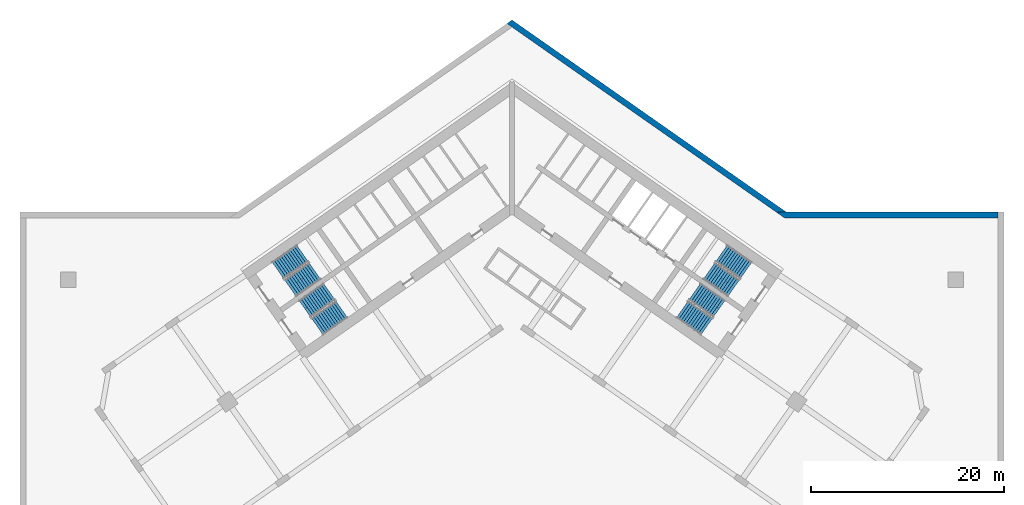
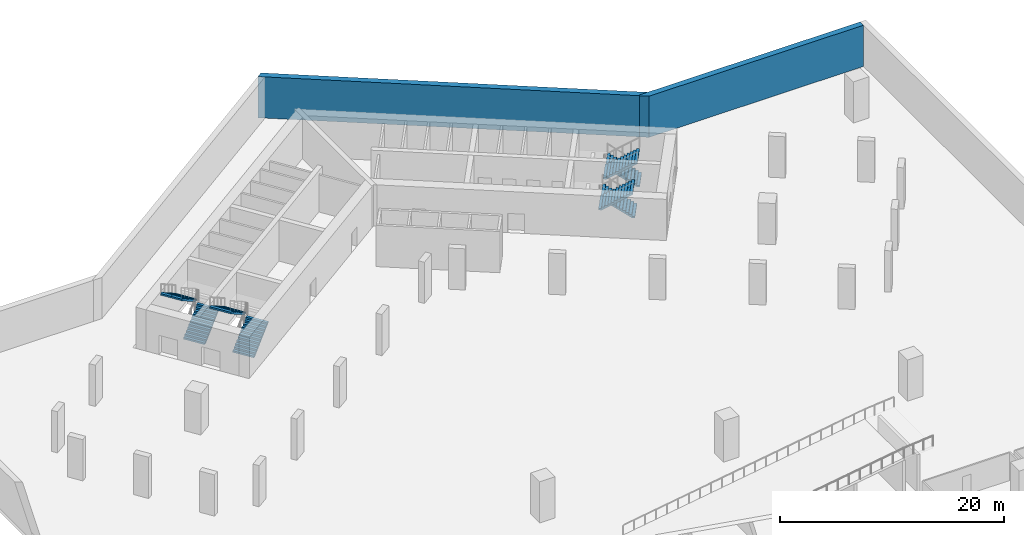
# One storey, part 8 of 11: 8 stair flights, 2 walls, 4 elements without a shape of their own.
"""IFC4 building model written with IfcOpenShell, lengths in metres."""

from ifc_helpers import new_model, si_unit, direction, frame, origin, place, context, subcontext, project, spatial, polyline, outline, extrude, material, layer, layer_set, type_object, element, aggregate, save


model = new_model("IFC4")

# Units and contexts
model_context = context("Model", 3, precision=1e-05, world=origin(), true_north=direction((0.0, 1.0)))
body_context = subcontext(model_context, "Body", "Model", "MODEL_VIEW")
ifc_project = project(units=[si_unit("LENGTHUNIT", "METRE"), si_unit("AREAUNIT", "SQUARE_METRE"), si_unit("VOLUMEUNIT", "CUBIC_METRE"), si_unit("PLANEANGLEUNIT", "RADIAN"), si_unit("MASSUNIT", "GRAM", prefix="KILO")], contexts=[model_context])

# Site, building, storey
site_placement = place(None, origin())
site = spatial("IfcSite", under=ifc_project, at=site_placement, CompositionType="ELEMENT")
building_placement = place(site_placement, origin())
building = spatial("IfcBuilding", under=site, at=building_placement, Name="Tel Ilan Convention Tower", CompositionType="ELEMENT")
storey_placement = place(building_placement, frame((0.0, 0.0, -4.5)))
storey = spatial("IfcBuildingStorey", under=building, at=storey_placement, Name="B1", CompositionType="ELEMENT", Elevation=-4.5)

# Walls
ifc_material_1 = material(Name="Concrete C40/50", Category="concrete")
ifc_layer = layer(ifc_material_1, 0.60009765625)
ifc_layer_set = layer_set([ifc_layer], Name="Basement Retaining Wall 600 mm C40/50")
wall_type = type_object("IfcWallType", Name="Basement Retaining Wall 600 mm C40/50", PredefinedType="SOLIDWALL", material=ifc_layer_set)
wall_1_placement = place(storey_placement, frame((51.0, -1.300048828125, 0.0), z_axis=(0.0, 0.0, 1.0), x_axis=(-1.0, 0.0, 0.0)))
element("IfcWall", 1, at=wall_1_placement, inside=storey, type_object=wall_type, Name="B1 retaining wall 3", PredefinedType="SOLIDWALL", context=body_context, shape_type="SweptSolid", body=[
    extrude(outline(polyline([(22.737548828125, 0.300048828125), (23.448486328125, -0.19775390625), (23.448486328125, -0.300048828125), (22.54833984375, -0.300048828125), (0.60009765625, -0.300048828125), (0.60009765625, 0.300048828125), (22.737548828125, 0.300048828125)])), origin(), (0.0, 0.0, 1.0), 4.5),
])
wall_2_placement = place(storey_placement, frame((28.279541015625, -1.24560546875, 0.0), z_axis=(0.0, 0.0, 1.0), x_axis=(-0.819154640404, 0.573572728697, 0.0)))
element("IfcWall", 2, at=wall_2_placement, inside=storey, type_object=wall_type, Name="B1 retaining wall 4", PredefinedType="SOLIDWALL", context=body_context, shape_type="SweptSolid", body=[
    extrude(outline(polyline([(5.786865234375, -0.300048828125), (0.0, -0.2998046875), (0.737060546875, 0.21630859375), (0.678466796875, 0.300048828125), (-0.189208984375, 0.300048828125), (34.951171875, 0.300048828125), (34.73291015625, -0.300048828125), (5.786865234375, -0.300048828125)])), origin(), (0.0, 0.0, 1.0), 4.5),
])

# Stair, stair flights
ifc_material_2 = material(Name="Concrete C40/50", Category="concrete")
stair_type = type_object("IfcStairType", Name="Pressurised Exit Stair 24 risers 188 mm", PredefinedType="HALF_TURN_STAIR", material=ifc_material_2)
stair_1_placement = place(storey_placement, origin())
stair_1 = element("IfcStair", 3, at=stair_1_placement, inside=storey, type_object=stair_type, Name="B1 Pressurised Stair S1", PredefinedType="HALF_TURN_STAIR")
ifc_material_3 = material(Name="Precast Concrete C40/50", Category="concrete")
stair_flight_type = type_object("IfcStairFlightType", Name="Concrete Stair Flight 2100 mm 24 risers 188 mm", PredefinedType="STRAIGHT", material=ifc_material_3)
stair_flight_1_placement = place(storey_placement, frame((-22.9619140625, -8.87548828125, 0.0), z_axis=(0.0, 0.0, 1.0), x_axis=(0.819152044289, 0.573576436351, 0.0)))
stair_flight_1 = element("IfcStairFlight", 4, at=stair_flight_1_placement, type_object=stair_flight_type, Name="S1 flight 1", NumberOfRisers=12, NumberOfTreads=11, PredefinedType="STRAIGHT", RiserHeight=0.1875, TreadLength=0.28, context=body_context, shape_type="SweptSolid", body=[
    extrude(outline(polyline([(0.0, 0.0), (0.0, 0.1875), (0.280029296875, 0.1875), (0.280029296875, 0.375), (0.56005859375, 0.375), (0.56005859375, 0.5625), (0.840087890625, 0.5625), (0.840087890625, 0.75), (1.1201171875, 0.75), (1.1201171875, 0.9375), (1.39990234375, 0.9375), (1.39990234375, 1.125), (1.679931640625, 1.125), (1.679931640625, 1.3125), (1.9599609375, 1.3125), (1.9599609375, 1.5), (2.239990234375, 1.5), (2.239990234375, 1.6875), (2.52001953125, 1.6875), (2.52001953125, 1.875), (2.800048828125, 1.875), (2.800048828125, 2.0625), (3.080078125, 2.0625), (3.080078125, 2.25), (3.080078125, 1.882080078125), (0.26953125, 0.0), (0.0, 0.0)])), frame((0.0, -0.100341796875, 0.0), z_axis=(0.0, -1.0, 0.0), x_axis=(1.0, 0.0, 0.0)), (0.0, 0.0, 1.0), 0.94970703125),
    extrude(outline(polyline([(0.0, 0.0), (0.0, 0.1875), (0.280029296875, 0.1875), (0.280029296875, 0.375), (0.56005859375, 0.375), (0.56005859375, 0.5625), (0.840087890625, 0.5625), (0.840087890625, 0.75), (1.1201171875, 0.75), (1.1201171875, 0.9375), (1.39990234375, 0.9375), (1.39990234375, 1.125), (1.679931640625, 1.125), (1.679931640625, 1.3125), (1.9599609375, 1.3125), (1.9599609375, 1.5), (2.239990234375, 1.5), (2.239990234375, 1.6875), (2.52001953125, 1.6875), (2.52001953125, 1.875), (2.800048828125, 1.875), (2.800048828125, 2.0625), (3.080078125, 2.0625), (3.080078125, 2.25), (3.080078125, 1.882080078125), (0.26953125, 0.0), (0.0, 0.0)])), frame((0.0, -0.000244140625, 0.0), z_axis=(0.0, -1.0, 0.0), x_axis=(1.0, 0.0, 0.0)), (0.0, 0.0, 1.0), 0.099609375),
    extrude(outline(polyline([(0.0, 0.0), (0.0, 0.1875), (0.280029296875, 0.1875), (0.280029296875, 0.375), (0.56005859375, 0.375), (0.56005859375, 0.5625), (0.840087890625, 0.5625), (0.840087890625, 0.75), (1.1201171875, 0.75), (1.1201171875, 0.9375), (1.39990234375, 0.9375), (1.39990234375, 1.125), (1.679931640625, 1.125), (1.679931640625, 1.3125), (1.9599609375, 1.3125), (1.9599609375, 1.5), (2.239990234375, 1.5), (2.239990234375, 1.6875), (2.52001953125, 1.6875), (2.52001953125, 1.875), (2.800048828125, 1.875), (2.800048828125, 2.0625), (3.080078125, 2.0625), (3.080078125, 2.25), (3.080078125, 1.882080078125), (0.26953125, 0.0), (0.0, 0.0)])), frame((0.0, 0.099853515625, 0.0), z_axis=(0.0, -1.0, 0.0), x_axis=(1.0, 0.0, 0.0)), (0.0, 0.0, 1.0), 0.099609375),
    extrude(outline(polyline([(0.0, 0.0), (0.0, 0.1875), (0.280029296875, 0.1875), (0.280029296875, 0.375), (0.56005859375, 0.375), (0.56005859375, 0.5625), (0.840087890625, 0.5625), (0.840087890625, 0.75), (1.1201171875, 0.75), (1.1201171875, 0.9375), (1.39990234375, 0.9375), (1.39990234375, 1.125), (1.679931640625, 1.125), (1.679931640625, 1.3125), (1.9599609375, 1.3125), (1.9599609375, 1.5), (2.239990234375, 1.5), (2.239990234375, 1.6875), (2.52001953125, 1.6875), (2.52001953125, 1.875), (2.800048828125, 1.875), (2.800048828125, 2.0625), (3.080078125, 2.0625), (3.080078125, 2.25), (3.080078125, 1.882080078125), (0.26953125, 0.0), (0.0, 0.0)])), frame((0.0, 1.050048828125, 0.0), z_axis=(0.0, -1.0, 0.0), x_axis=(1.0, 0.0, 0.0)), (0.0, 0.0, 1.0), 0.94970703125),
])
stair_flight_2_placement = place(storey_placement, frame((-21.7294921875, -5.265869140625, 2.25), z_axis=(0.0, 0.0, 1.0), x_axis=(-0.819152044289, -0.573576436351, 0.0)))
stair_flight_2 = element("IfcStairFlight", 5, at=stair_flight_2_placement, type_object=stair_flight_type, Name="S1 flight 2", NumberOfRisers=12, NumberOfTreads=11, PredefinedType="STRAIGHT", RiserHeight=0.1875, TreadLength=0.28, context=body_context, shape_type="SweptSolid", body=[
    extrude(outline(polyline([(0.0, 0.0), (0.0, 0.1875), (0.280029296875, 0.1875), (0.280029296875, 0.375), (0.56005859375, 0.375), (0.56005859375, 0.5625), (0.840087890625, 0.5625), (0.840087890625, 0.75), (1.1201171875, 0.75), (1.1201171875, 0.9375), (1.39990234375, 0.9375), (1.39990234375, 1.125), (1.679931640625, 1.125), (1.679931640625, 1.3125), (1.9599609375, 1.3125), (1.9599609375, 1.5), (2.239990234375, 1.5), (2.239990234375, 1.6875), (2.52001953125, 1.6875), (2.52001953125, 1.875), (2.800048828125, 1.875), (2.800048828125, 2.0625), (3.080078125, 2.0625), (3.080078125, 2.25), (3.080078125, 1.882080078125), (0.26953125, 0.0), (0.0, 0.0)])), frame((0.0, -0.100341796875, 0.0), z_axis=(0.0, -1.0, 0.0), x_axis=(1.0, 0.0, 0.0)), (0.0, 0.0, 1.0), 0.94970703125),
    extrude(outline(polyline([(0.0, 0.0), (0.0, 0.1875), (0.280029296875, 0.1875), (0.280029296875, 0.375), (0.56005859375, 0.375), (0.56005859375, 0.5625), (0.840087890625, 0.5625), (0.840087890625, 0.75), (1.1201171875, 0.75), (1.1201171875, 0.9375), (1.39990234375, 0.9375), (1.39990234375, 1.125), (1.679931640625, 1.125), (1.679931640625, 1.3125), (1.9599609375, 1.3125), (1.9599609375, 1.5), (2.239990234375, 1.5), (2.239990234375, 1.6875), (2.52001953125, 1.6875), (2.52001953125, 1.875), (2.800048828125, 1.875), (2.800048828125, 2.0625), (3.080078125, 2.0625), (3.080078125, 2.25), (3.080078125, 1.882080078125), (0.26953125, 0.0), (0.0, 0.0)])), frame((0.0, -0.000244140625, 0.0), z_axis=(0.0, -1.0, 0.0), x_axis=(1.0, 0.0, 0.0)), (0.0, 0.0, 1.0), 0.099609375),
    extrude(outline(polyline([(0.0, 0.0), (0.0, 0.1875), (0.280029296875, 0.1875), (0.280029296875, 0.375), (0.56005859375, 0.375), (0.56005859375, 0.5625), (0.840087890625, 0.5625), (0.840087890625, 0.75), (1.1201171875, 0.75), (1.1201171875, 0.9375), (1.39990234375, 0.9375), (1.39990234375, 1.125), (1.679931640625, 1.125), (1.679931640625, 1.3125), (1.9599609375, 1.3125), (1.9599609375, 1.5), (2.239990234375, 1.5), (2.239990234375, 1.6875), (2.52001953125, 1.6875), (2.52001953125, 1.875), (2.800048828125, 1.875), (2.800048828125, 2.0625), (3.080078125, 2.0625), (3.080078125, 2.25), (3.080078125, 1.882080078125), (0.26953125, 0.0), (0.0, 0.0)])), frame((0.0, 0.099853515625, 0.0), z_axis=(0.0, -1.0, 0.0), x_axis=(1.0, 0.0, 0.0)), (0.0, 0.0, 1.0), 0.099609375),
    extrude(outline(polyline([(0.0, 0.0), (0.0, 0.1875), (0.280029296875, 0.1875), (0.280029296875, 0.375), (0.56005859375, 0.375), (0.56005859375, 0.5625), (0.840087890625, 0.5625), (0.840087890625, 0.75), (1.1201171875, 0.75), (1.1201171875, 0.9375), (1.39990234375, 0.9375), (1.39990234375, 1.125), (1.679931640625, 1.125), (1.679931640625, 1.3125), (1.9599609375, 1.3125), (1.9599609375, 1.5), (2.239990234375, 1.5), (2.239990234375, 1.6875), (2.52001953125, 1.6875), (2.52001953125, 1.875), (2.800048828125, 1.875), (2.800048828125, 2.0625), (3.080078125, 2.0625), (3.080078125, 2.25), (3.080078125, 1.882080078125), (0.26953125, 0.0), (0.0, 0.0)])), frame((0.0, 1.050048828125, 0.0), z_axis=(0.0, -1.0, 0.0), x_axis=(1.0, 0.0, 0.0)), (0.0, 0.0, 1.0), 0.94970703125),
])
aggregate(stair_1, [stair_flight_1, stair_flight_2])

stair_2_placement = place(storey_placement, origin())
stair_2 = element("IfcStair", 6, at=stair_2_placement, inside=storey, type_object=stair_type, Name="B1 Pressurised Stair S2", PredefinedType="HALF_TURN_STAIR")
stair_flight_3_placement = place(storey_placement, frame((-20.179931640625, -12.848388671875, 0.0), z_axis=(0.0, 0.0, 1.0), x_axis=(0.819152044289, 0.573576436351, 0.0)))
stair_flight_3 = element("IfcStairFlight", 7, at=stair_flight_3_placement, type_object=stair_flight_type, Name="S2 flight 1", NumberOfRisers=12, NumberOfTreads=11, PredefinedType="STRAIGHT", RiserHeight=0.1875, TreadLength=0.28, context=body_context, shape_type="SweptSolid", body=[
    extrude(outline(polyline([(0.0, 0.0), (0.0, 0.1875), (0.280029296875, 0.1875), (0.280029296875, 0.375), (0.56005859375, 0.375), (0.56005859375, 0.5625), (0.840087890625, 0.5625), (0.840087890625, 0.75), (1.1201171875, 0.75), (1.1201171875, 0.9375), (1.39990234375, 0.9375), (1.39990234375, 1.125), (1.679931640625, 1.125), (1.679931640625, 1.3125), (1.9599609375, 1.3125), (1.9599609375, 1.5), (2.239990234375, 1.5), (2.239990234375, 1.6875), (2.52001953125, 1.6875), (2.52001953125, 1.875), (2.800048828125, 1.875), (2.800048828125, 2.0625), (3.080078125, 2.0625), (3.080078125, 2.25), (3.080078125, 1.882080078125), (0.26953125, 0.0), (0.0, 0.0)])), frame((0.0, -0.100341796875, 0.0), z_axis=(0.0, -1.0, 0.0), x_axis=(1.0, 0.0, 0.0)), (0.0, 0.0, 1.0), 0.94970703125),
    extrude(outline(polyline([(0.0, 0.0), (0.0, 0.1875), (0.280029296875, 0.1875), (0.280029296875, 0.375), (0.56005859375, 0.375), (0.56005859375, 0.5625), (0.840087890625, 0.5625), (0.840087890625, 0.75), (1.1201171875, 0.75), (1.1201171875, 0.9375), (1.39990234375, 0.9375), (1.39990234375, 1.125), (1.679931640625, 1.125), (1.679931640625, 1.3125), (1.9599609375, 1.3125), (1.9599609375, 1.5), (2.239990234375, 1.5), (2.239990234375, 1.6875), (2.52001953125, 1.6875), (2.52001953125, 1.875), (2.800048828125, 1.875), (2.800048828125, 2.0625), (3.080078125, 2.0625), (3.080078125, 2.25), (3.080078125, 1.882080078125), (0.26953125, 0.0), (0.0, 0.0)])), frame((0.0, -0.000244140625, 0.0), z_axis=(0.0, -1.0, 0.0), x_axis=(1.0, 0.0, 0.0)), (0.0, 0.0, 1.0), 0.099609375),
    extrude(outline(polyline([(0.0, 0.0), (0.0, 0.1875), (0.280029296875, 0.1875), (0.280029296875, 0.375), (0.56005859375, 0.375), (0.56005859375, 0.5625), (0.840087890625, 0.5625), (0.840087890625, 0.75), (1.1201171875, 0.75), (1.1201171875, 0.9375), (1.39990234375, 0.9375), (1.39990234375, 1.125), (1.679931640625, 1.125), (1.679931640625, 1.3125), (1.9599609375, 1.3125), (1.9599609375, 1.5), (2.239990234375, 1.5), (2.239990234375, 1.6875), (2.52001953125, 1.6875), (2.52001953125, 1.875), (2.800048828125, 1.875), (2.800048828125, 2.0625), (3.080078125, 2.0625), (3.080078125, 2.25), (3.080078125, 1.882080078125), (0.26953125, 0.0), (0.0, 0.0)])), frame((0.0, 0.099853515625, 0.0), z_axis=(0.0, -1.0, 0.0), x_axis=(1.0, 0.0, 0.0)), (0.0, 0.0, 1.0), 0.099609375),
    extrude(outline(polyline([(0.0, 0.0), (0.0, 0.1875), (0.280029296875, 0.1875), (0.280029296875, 0.375), (0.56005859375, 0.375), (0.56005859375, 0.5625), (0.840087890625, 0.5625), (0.840087890625, 0.75), (1.1201171875, 0.75), (1.1201171875, 0.9375), (1.39990234375, 0.9375), (1.39990234375, 1.125), (1.679931640625, 1.125), (1.679931640625, 1.3125), (1.9599609375, 1.3125), (1.9599609375, 1.5), (2.239990234375, 1.5), (2.239990234375, 1.6875), (2.52001953125, 1.6875), (2.52001953125, 1.875), (2.800048828125, 1.875), (2.800048828125, 2.0625), (3.080078125, 2.0625), (3.080078125, 2.25), (3.080078125, 1.882080078125), (0.26953125, 0.0), (0.0, 0.0)])), frame((0.0, 1.050048828125, 0.0), z_axis=(0.0, -1.0, 0.0), x_axis=(1.0, 0.0, 0.0)), (0.0, 0.0, 1.0), 0.94970703125),
])
stair_flight_4_placement = place(storey_placement, frame((-18.947509765625, -9.23876953125, 2.25), z_axis=(0.0, 0.0, 1.0), x_axis=(-0.819152044289, -0.573576436351, 0.0)))
stair_flight_4 = element("IfcStairFlight", 8, at=stair_flight_4_placement, type_object=stair_flight_type, Name="S2 flight 2", NumberOfRisers=12, NumberOfTreads=11, PredefinedType="STRAIGHT", RiserHeight=0.1875, TreadLength=0.28, context=body_context, shape_type="SweptSolid", body=[
    extrude(outline(polyline([(0.0, 0.0), (0.0, 0.1875), (0.280029296875, 0.1875), (0.280029296875, 0.375), (0.56005859375, 0.375), (0.56005859375, 0.5625), (0.840087890625, 0.5625), (0.840087890625, 0.75), (1.1201171875, 0.75), (1.1201171875, 0.9375), (1.39990234375, 0.9375), (1.39990234375, 1.125), (1.679931640625, 1.125), (1.679931640625, 1.3125), (1.9599609375, 1.3125), (1.9599609375, 1.5), (2.239990234375, 1.5), (2.239990234375, 1.6875), (2.52001953125, 1.6875), (2.52001953125, 1.875), (2.800048828125, 1.875), (2.800048828125, 2.0625), (3.080078125, 2.0625), (3.080078125, 2.25), (3.080078125, 1.882080078125), (0.26953125, 0.0), (0.0, 0.0)])), frame((0.0, -0.100341796875, 0.0), z_axis=(0.0, -1.0, 0.0), x_axis=(1.0, 0.0, 0.0)), (0.0, 0.0, 1.0), 0.94970703125),
    extrude(outline(polyline([(0.0, 0.0), (0.0, 0.1875), (0.280029296875, 0.1875), (0.280029296875, 0.375), (0.56005859375, 0.375), (0.56005859375, 0.5625), (0.840087890625, 0.5625), (0.840087890625, 0.75), (1.1201171875, 0.75), (1.1201171875, 0.9375), (1.39990234375, 0.9375), (1.39990234375, 1.125), (1.679931640625, 1.125), (1.679931640625, 1.3125), (1.9599609375, 1.3125), (1.9599609375, 1.5), (2.239990234375, 1.5), (2.239990234375, 1.6875), (2.52001953125, 1.6875), (2.52001953125, 1.875), (2.800048828125, 1.875), (2.800048828125, 2.0625), (3.080078125, 2.0625), (3.080078125, 2.25), (3.080078125, 1.882080078125), (0.26953125, 0.0), (0.0, 0.0)])), frame((0.0, -0.000244140625, 0.0), z_axis=(0.0, -1.0, 0.0), x_axis=(1.0, 0.0, 0.0)), (0.0, 0.0, 1.0), 0.099609375),
    extrude(outline(polyline([(0.0, 0.0), (0.0, 0.1875), (0.280029296875, 0.1875), (0.280029296875, 0.375), (0.56005859375, 0.375), (0.56005859375, 0.5625), (0.840087890625, 0.5625), (0.840087890625, 0.75), (1.1201171875, 0.75), (1.1201171875, 0.9375), (1.39990234375, 0.9375), (1.39990234375, 1.125), (1.679931640625, 1.125), (1.679931640625, 1.3125), (1.9599609375, 1.3125), (1.9599609375, 1.5), (2.239990234375, 1.5), (2.239990234375, 1.6875), (2.52001953125, 1.6875), (2.52001953125, 1.875), (2.800048828125, 1.875), (2.800048828125, 2.0625), (3.080078125, 2.0625), (3.080078125, 2.25), (3.080078125, 1.882080078125), (0.26953125, 0.0), (0.0, 0.0)])), frame((0.0, 0.099853515625, 0.0), z_axis=(0.0, -1.0, 0.0), x_axis=(1.0, 0.0, 0.0)), (0.0, 0.0, 1.0), 0.099609375),
    extrude(outline(polyline([(0.0, 0.0), (0.0, 0.1875), (0.280029296875, 0.1875), (0.280029296875, 0.375), (0.56005859375, 0.375), (0.56005859375, 0.5625), (0.840087890625, 0.5625), (0.840087890625, 0.75), (1.1201171875, 0.75), (1.1201171875, 0.9375), (1.39990234375, 0.9375), (1.39990234375, 1.125), (1.679931640625, 1.125), (1.679931640625, 1.3125), (1.9599609375, 1.3125), (1.9599609375, 1.5), (2.239990234375, 1.5), (2.239990234375, 1.6875), (2.52001953125, 1.6875), (2.52001953125, 1.875), (2.800048828125, 1.875), (2.800048828125, 2.0625), (3.080078125, 2.0625), (3.080078125, 2.25), (3.080078125, 1.882080078125), (0.26953125, 0.0), (0.0, 0.0)])), frame((0.0, 1.050048828125, 0.0), z_axis=(0.0, -1.0, 0.0), x_axis=(1.0, 0.0, 0.0)), (0.0, 0.0, 1.0), 0.94970703125),
])
aggregate(stair_2, [stair_flight_3, stair_flight_4])

stair_3_placement = place(storey_placement, origin())
stair_3 = element("IfcStair", 9, at=stair_3_placement, inside=storey, type_object=stair_type, Name="B1 Pressurised Stair S3", PredefinedType="HALF_TURN_STAIR")
stair_flight_5_placement = place(storey_placement, frame((24.25244140625, -7.032470703125, 0.0), z_axis=(0.0, 0.0, 1.0), x_axis=(-0.819152044289, 0.573576436351, 0.0)))
stair_flight_5 = element("IfcStairFlight", 10, at=stair_flight_5_placement, type_object=stair_flight_type, Name="S3 flight 1", NumberOfRisers=12, NumberOfTreads=11, PredefinedType="STRAIGHT", RiserHeight=0.1875, TreadLength=0.28, context=body_context, shape_type="SweptSolid", body=[
    extrude(outline(polyline([(0.0, 0.0), (0.0, 0.1875), (0.280029296875, 0.1875), (0.280029296875, 0.375), (0.56005859375, 0.375), (0.56005859375, 0.5625), (0.840087890625, 0.5625), (0.840087890625, 0.75), (1.1201171875, 0.75), (1.1201171875, 0.9375), (1.39990234375, 0.9375), (1.39990234375, 1.125), (1.679931640625, 1.125), (1.679931640625, 1.3125), (1.9599609375, 1.3125), (1.9599609375, 1.5), (2.239990234375, 1.5), (2.239990234375, 1.6875), (2.52001953125, 1.6875), (2.52001953125, 1.875), (2.800048828125, 1.875), (2.800048828125, 2.0625), (3.080078125, 2.0625), (3.080078125, 2.25), (3.080078125, 1.882080078125), (0.26953125, 0.0), (0.0, 0.0)])), frame((0.0, -0.100341796875, 0.0), z_axis=(0.0, -1.0, 0.0), x_axis=(1.0, 0.0, 0.0)), (0.0, 0.0, 1.0), 0.94970703125),
    extrude(outline(polyline([(0.0, 0.0), (0.0, 0.1875), (0.280029296875, 0.1875), (0.280029296875, 0.375), (0.56005859375, 0.375), (0.56005859375, 0.5625), (0.840087890625, 0.5625), (0.840087890625, 0.75), (1.1201171875, 0.75), (1.1201171875, 0.9375), (1.39990234375, 0.9375), (1.39990234375, 1.125), (1.679931640625, 1.125), (1.679931640625, 1.3125), (1.9599609375, 1.3125), (1.9599609375, 1.5), (2.239990234375, 1.5), (2.239990234375, 1.6875), (2.52001953125, 1.6875), (2.52001953125, 1.875), (2.800048828125, 1.875), (2.800048828125, 2.0625), (3.080078125, 2.0625), (3.080078125, 2.25), (3.080078125, 1.882080078125), (0.26953125, 0.0), (0.0, 0.0)])), frame((0.0, -0.000244140625, 0.0), z_axis=(0.0, -1.0, 0.0), x_axis=(1.0, 0.0, 0.0)), (0.0, 0.0, 1.0), 0.099609375),
    extrude(outline(polyline([(0.0, 0.0), (0.0, 0.1875), (0.280029296875, 0.1875), (0.280029296875, 0.375), (0.56005859375, 0.375), (0.56005859375, 0.5625), (0.840087890625, 0.5625), (0.840087890625, 0.75), (1.1201171875, 0.75), (1.1201171875, 0.9375), (1.39990234375, 0.9375), (1.39990234375, 1.125), (1.679931640625, 1.125), (1.679931640625, 1.3125), (1.9599609375, 1.3125), (1.9599609375, 1.5), (2.239990234375, 1.5), (2.239990234375, 1.6875), (2.52001953125, 1.6875), (2.52001953125, 1.875), (2.800048828125, 1.875), (2.800048828125, 2.0625), (3.080078125, 2.0625), (3.080078125, 2.25), (3.080078125, 1.882080078125), (0.26953125, 0.0), (0.0, 0.0)])), frame((0.0, 0.099853515625, 0.0), z_axis=(0.0, -1.0, 0.0), x_axis=(1.0, 0.0, 0.0)), (0.0, 0.0, 1.0), 0.099609375),
    extrude(outline(polyline([(0.0, 0.0), (0.0, 0.1875), (0.280029296875, 0.1875), (0.280029296875, 0.375), (0.56005859375, 0.375), (0.56005859375, 0.5625), (0.840087890625, 0.5625), (0.840087890625, 0.75), (1.1201171875, 0.75), (1.1201171875, 0.9375), (1.39990234375, 0.9375), (1.39990234375, 1.125), (1.679931640625, 1.125), (1.679931640625, 1.3125), (1.9599609375, 1.3125), (1.9599609375, 1.5), (2.239990234375, 1.5), (2.239990234375, 1.6875), (2.52001953125, 1.6875), (2.52001953125, 1.875), (2.800048828125, 1.875), (2.800048828125, 2.0625), (3.080078125, 2.0625), (3.080078125, 2.25), (3.080078125, 1.882080078125), (0.26953125, 0.0), (0.0, 0.0)])), frame((0.0, 1.050048828125, 0.0), z_axis=(0.0, -1.0, 0.0), x_axis=(1.0, 0.0, 0.0)), (0.0, 0.0, 1.0), 0.94970703125),
])
stair_flight_6_placement = place(storey_placement, frame((20.43896484375, -7.10888671875, 2.25), z_axis=(0.0, 0.0, 1.0), x_axis=(0.819152044289, -0.573576436351, 0.0)))
stair_flight_6 = element("IfcStairFlight", 11, at=stair_flight_6_placement, type_object=stair_flight_type, Name="S3 flight 2", NumberOfRisers=12, NumberOfTreads=11, PredefinedType="STRAIGHT", RiserHeight=0.1875, TreadLength=0.28, context=body_context, shape_type="SweptSolid", body=[
    extrude(outline(polyline([(0.0, 0.0), (0.0, 0.1875), (0.280029296875, 0.1875), (0.280029296875, 0.375), (0.56005859375, 0.375), (0.56005859375, 0.5625), (0.840087890625, 0.5625), (0.840087890625, 0.75), (1.1201171875, 0.75), (1.1201171875, 0.9375), (1.39990234375, 0.9375), (1.39990234375, 1.125), (1.679931640625, 1.125), (1.679931640625, 1.3125), (1.9599609375, 1.3125), (1.9599609375, 1.5), (2.239990234375, 1.5), (2.239990234375, 1.6875), (2.52001953125, 1.6875), (2.52001953125, 1.875), (2.800048828125, 1.875), (2.800048828125, 2.0625), (3.080078125, 2.0625), (3.080078125, 2.25), (3.080078125, 1.882080078125), (0.26953125, 0.0), (0.0, 0.0)])), frame((0.0, -0.100341796875, 0.0), z_axis=(0.0, -1.0, 0.0), x_axis=(1.0, 0.0, 0.0)), (0.0, 0.0, 1.0), 0.94970703125),
    extrude(outline(polyline([(0.0, 0.0), (0.0, 0.1875), (0.280029296875, 0.1875), (0.280029296875, 0.375), (0.56005859375, 0.375), (0.56005859375, 0.5625), (0.840087890625, 0.5625), (0.840087890625, 0.75), (1.1201171875, 0.75), (1.1201171875, 0.9375), (1.39990234375, 0.9375), (1.39990234375, 1.125), (1.679931640625, 1.125), (1.679931640625, 1.3125), (1.9599609375, 1.3125), (1.9599609375, 1.5), (2.239990234375, 1.5), (2.239990234375, 1.6875), (2.52001953125, 1.6875), (2.52001953125, 1.875), (2.800048828125, 1.875), (2.800048828125, 2.0625), (3.080078125, 2.0625), (3.080078125, 2.25), (3.080078125, 1.882080078125), (0.26953125, 0.0), (0.0, 0.0)])), frame((0.0, -0.000244140625, 0.0), z_axis=(0.0, -1.0, 0.0), x_axis=(1.0, 0.0, 0.0)), (0.0, 0.0, 1.0), 0.099609375),
    extrude(outline(polyline([(0.0, 0.0), (0.0, 0.1875), (0.280029296875, 0.1875), (0.280029296875, 0.375), (0.56005859375, 0.375), (0.56005859375, 0.5625), (0.840087890625, 0.5625), (0.840087890625, 0.75), (1.1201171875, 0.75), (1.1201171875, 0.9375), (1.39990234375, 0.9375), (1.39990234375, 1.125), (1.679931640625, 1.125), (1.679931640625, 1.3125), (1.9599609375, 1.3125), (1.9599609375, 1.5), (2.239990234375, 1.5), (2.239990234375, 1.6875), (2.52001953125, 1.6875), (2.52001953125, 1.875), (2.800048828125, 1.875), (2.800048828125, 2.0625), (3.080078125, 2.0625), (3.080078125, 2.25), (3.080078125, 1.882080078125), (0.26953125, 0.0), (0.0, 0.0)])), frame((0.0, 0.099853515625, 0.0), z_axis=(0.0, -1.0, 0.0), x_axis=(1.0, 0.0, 0.0)), (0.0, 0.0, 1.0), 0.099609375),
    extrude(outline(polyline([(0.0, 0.0), (0.0, 0.1875), (0.280029296875, 0.1875), (0.280029296875, 0.375), (0.56005859375, 0.375), (0.56005859375, 0.5625), (0.840087890625, 0.5625), (0.840087890625, 0.75), (1.1201171875, 0.75), (1.1201171875, 0.9375), (1.39990234375, 0.9375), (1.39990234375, 1.125), (1.679931640625, 1.125), (1.679931640625, 1.3125), (1.9599609375, 1.3125), (1.9599609375, 1.5), (2.239990234375, 1.5), (2.239990234375, 1.6875), (2.52001953125, 1.6875), (2.52001953125, 1.875), (2.800048828125, 1.875), (2.800048828125, 2.0625), (3.080078125, 2.0625), (3.080078125, 2.25), (3.080078125, 1.882080078125), (0.26953125, 0.0), (0.0, 0.0)])), frame((0.0, 1.050048828125, 0.0), z_axis=(0.0, -1.0, 0.0), x_axis=(1.0, 0.0, 0.0)), (0.0, 0.0, 1.0), 0.94970703125),
])
aggregate(stair_3, [stair_flight_5, stair_flight_6])

stair_4_placement = place(storey_placement, origin())
stair_4 = element("IfcStair", 12, at=stair_4_placement, inside=storey, type_object=stair_type, Name="B1 Pressurised Stair S4", PredefinedType="HALF_TURN_STAIR")
stair_flight_7_placement = place(storey_placement, frame((21.470458984375, -11.00537109375, 0.0), z_axis=(0.0, 0.0, 1.0), x_axis=(-0.819152044289, 0.573576436351, 0.0)))
stair_flight_7 = element("IfcStairFlight", 13, at=stair_flight_7_placement, type_object=stair_flight_type, Name="S4 flight 1", NumberOfRisers=12, NumberOfTreads=11, PredefinedType="STRAIGHT", RiserHeight=0.1875, TreadLength=0.28, context=body_context, shape_type="SweptSolid", body=[
    extrude(outline(polyline([(0.0, 0.0), (0.0, 0.1875), (0.280029296875, 0.1875), (0.280029296875, 0.375), (0.56005859375, 0.375), (0.56005859375, 0.5625), (0.840087890625, 0.5625), (0.840087890625, 0.75), (1.1201171875, 0.75), (1.1201171875, 0.9375), (1.39990234375, 0.9375), (1.39990234375, 1.125), (1.679931640625, 1.125), (1.679931640625, 1.3125), (1.9599609375, 1.3125), (1.9599609375, 1.5), (2.239990234375, 1.5), (2.239990234375, 1.6875), (2.52001953125, 1.6875), (2.52001953125, 1.875), (2.800048828125, 1.875), (2.800048828125, 2.0625), (3.080078125, 2.0625), (3.080078125, 2.25), (3.080078125, 1.882080078125), (0.26953125, 0.0), (0.0, 0.0)])), frame((0.0, -0.100341796875, 0.0), z_axis=(0.0, -1.0, 0.0), x_axis=(1.0, 0.0, 0.0)), (0.0, 0.0, 1.0), 0.94970703125),
    extrude(outline(polyline([(0.0, 0.0), (0.0, 0.1875), (0.280029296875, 0.1875), (0.280029296875, 0.375), (0.56005859375, 0.375), (0.56005859375, 0.5625), (0.840087890625, 0.5625), (0.840087890625, 0.75), (1.1201171875, 0.75), (1.1201171875, 0.9375), (1.39990234375, 0.9375), (1.39990234375, 1.125), (1.679931640625, 1.125), (1.679931640625, 1.3125), (1.9599609375, 1.3125), (1.9599609375, 1.5), (2.239990234375, 1.5), (2.239990234375, 1.6875), (2.52001953125, 1.6875), (2.52001953125, 1.875), (2.800048828125, 1.875), (2.800048828125, 2.0625), (3.080078125, 2.0625), (3.080078125, 2.25), (3.080078125, 1.882080078125), (0.26953125, 0.0), (0.0, 0.0)])), frame((0.0, -0.000244140625, 0.0), z_axis=(0.0, -1.0, 0.0), x_axis=(1.0, 0.0, 0.0)), (0.0, 0.0, 1.0), 0.099609375),
    extrude(outline(polyline([(0.0, 0.0), (0.0, 0.1875), (0.280029296875, 0.1875), (0.280029296875, 0.375), (0.56005859375, 0.375), (0.56005859375, 0.5625), (0.840087890625, 0.5625), (0.840087890625, 0.75), (1.1201171875, 0.75), (1.1201171875, 0.9375), (1.39990234375, 0.9375), (1.39990234375, 1.125), (1.679931640625, 1.125), (1.679931640625, 1.3125), (1.9599609375, 1.3125), (1.9599609375, 1.5), (2.239990234375, 1.5), (2.239990234375, 1.6875), (2.52001953125, 1.6875), (2.52001953125, 1.875), (2.800048828125, 1.875), (2.800048828125, 2.0625), (3.080078125, 2.0625), (3.080078125, 2.25), (3.080078125, 1.882080078125), (0.26953125, 0.0), (0.0, 0.0)])), frame((0.0, 0.099853515625, 0.0), z_axis=(0.0, -1.0, 0.0), x_axis=(1.0, 0.0, 0.0)), (0.0, 0.0, 1.0), 0.099609375),
    extrude(outline(polyline([(0.0, 0.0), (0.0, 0.1875), (0.280029296875, 0.1875), (0.280029296875, 0.375), (0.56005859375, 0.375), (0.56005859375, 0.5625), (0.840087890625, 0.5625), (0.840087890625, 0.75), (1.1201171875, 0.75), (1.1201171875, 0.9375), (1.39990234375, 0.9375), (1.39990234375, 1.125), (1.679931640625, 1.125), (1.679931640625, 1.3125), (1.9599609375, 1.3125), (1.9599609375, 1.5), (2.239990234375, 1.5), (2.239990234375, 1.6875), (2.52001953125, 1.6875), (2.52001953125, 1.875), (2.800048828125, 1.875), (2.800048828125, 2.0625), (3.080078125, 2.0625), (3.080078125, 2.25), (3.080078125, 1.882080078125), (0.26953125, 0.0), (0.0, 0.0)])), frame((0.0, 1.050048828125, 0.0), z_axis=(0.0, -1.0, 0.0), x_axis=(1.0, 0.0, 0.0)), (0.0, 0.0, 1.0), 0.94970703125),
])
stair_flight_8_placement = place(storey_placement, frame((17.656982421875, -11.081787109375, 2.25), z_axis=(0.0, 0.0, 1.0), x_axis=(0.819152044289, -0.573576436351, 0.0)))
stair_flight_8 = element("IfcStairFlight", 14, at=stair_flight_8_placement, type_object=stair_flight_type, Name="S4 flight 2", NumberOfRisers=12, NumberOfTreads=11, PredefinedType="STRAIGHT", RiserHeight=0.1875, TreadLength=0.28, context=body_context, shape_type="SweptSolid", body=[
    extrude(outline(polyline([(0.0, 0.0), (0.0, 0.1875), (0.280029296875, 0.1875), (0.280029296875, 0.375), (0.56005859375, 0.375), (0.56005859375, 0.5625), (0.840087890625, 0.5625), (0.840087890625, 0.75), (1.1201171875, 0.75), (1.1201171875, 0.9375), (1.39990234375, 0.9375), (1.39990234375, 1.125), (1.679931640625, 1.125), (1.679931640625, 1.3125), (1.9599609375, 1.3125), (1.9599609375, 1.5), (2.239990234375, 1.5), (2.239990234375, 1.6875), (2.52001953125, 1.6875), (2.52001953125, 1.875), (2.800048828125, 1.875), (2.800048828125, 2.0625), (3.080078125, 2.0625), (3.080078125, 2.25), (3.080078125, 1.882080078125), (0.26953125, 0.0), (0.0, 0.0)])), frame((0.0, -0.100341796875, 0.0), z_axis=(0.0, -1.0, 0.0), x_axis=(1.0, 0.0, 0.0)), (0.0, 0.0, 1.0), 0.94970703125),
    extrude(outline(polyline([(0.0, 0.0), (0.0, 0.1875), (0.280029296875, 0.1875), (0.280029296875, 0.375), (0.56005859375, 0.375), (0.56005859375, 0.5625), (0.840087890625, 0.5625), (0.840087890625, 0.75), (1.1201171875, 0.75), (1.1201171875, 0.9375), (1.39990234375, 0.9375), (1.39990234375, 1.125), (1.679931640625, 1.125), (1.679931640625, 1.3125), (1.9599609375, 1.3125), (1.9599609375, 1.5), (2.239990234375, 1.5), (2.239990234375, 1.6875), (2.52001953125, 1.6875), (2.52001953125, 1.875), (2.800048828125, 1.875), (2.800048828125, 2.0625), (3.080078125, 2.0625), (3.080078125, 2.25), (3.080078125, 1.882080078125), (0.26953125, 0.0), (0.0, 0.0)])), frame((0.0, -0.000244140625, 0.0), z_axis=(0.0, -1.0, 0.0), x_axis=(1.0, 0.0, 0.0)), (0.0, 0.0, 1.0), 0.099609375),
    extrude(outline(polyline([(0.0, 0.0), (0.0, 0.1875), (0.280029296875, 0.1875), (0.280029296875, 0.375), (0.56005859375, 0.375), (0.56005859375, 0.5625), (0.840087890625, 0.5625), (0.840087890625, 0.75), (1.1201171875, 0.75), (1.1201171875, 0.9375), (1.39990234375, 0.9375), (1.39990234375, 1.125), (1.679931640625, 1.125), (1.679931640625, 1.3125), (1.9599609375, 1.3125), (1.9599609375, 1.5), (2.239990234375, 1.5), (2.239990234375, 1.6875), (2.52001953125, 1.6875), (2.52001953125, 1.875), (2.800048828125, 1.875), (2.800048828125, 2.0625), (3.080078125, 2.0625), (3.080078125, 2.25), (3.080078125, 1.882080078125), (0.26953125, 0.0), (0.0, 0.0)])), frame((0.0, 0.099853515625, 0.0), z_axis=(0.0, -1.0, 0.0), x_axis=(1.0, 0.0, 0.0)), (0.0, 0.0, 1.0), 0.099609375),
    extrude(outline(polyline([(0.0, 0.0), (0.0, 0.1875), (0.280029296875, 0.1875), (0.280029296875, 0.375), (0.56005859375, 0.375), (0.56005859375, 0.5625), (0.840087890625, 0.5625), (0.840087890625, 0.75), (1.1201171875, 0.75), (1.1201171875, 0.9375), (1.39990234375, 0.9375), (1.39990234375, 1.125), (1.679931640625, 1.125), (1.679931640625, 1.3125), (1.9599609375, 1.3125), (1.9599609375, 1.5), (2.239990234375, 1.5), (2.239990234375, 1.6875), (2.52001953125, 1.6875), (2.52001953125, 1.875), (2.800048828125, 1.875), (2.800048828125, 2.0625), (3.080078125, 2.0625), (3.080078125, 2.25), (3.080078125, 1.882080078125), (0.26953125, 0.0), (0.0, 0.0)])), frame((0.0, 1.050048828125, 0.0), z_axis=(0.0, -1.0, 0.0), x_axis=(1.0, 0.0, 0.0)), (0.0, 0.0, 1.0), 0.94970703125),
])
aggregate(stair_4, [stair_flight_7, stair_flight_8])

save(model, "model.ifc")
